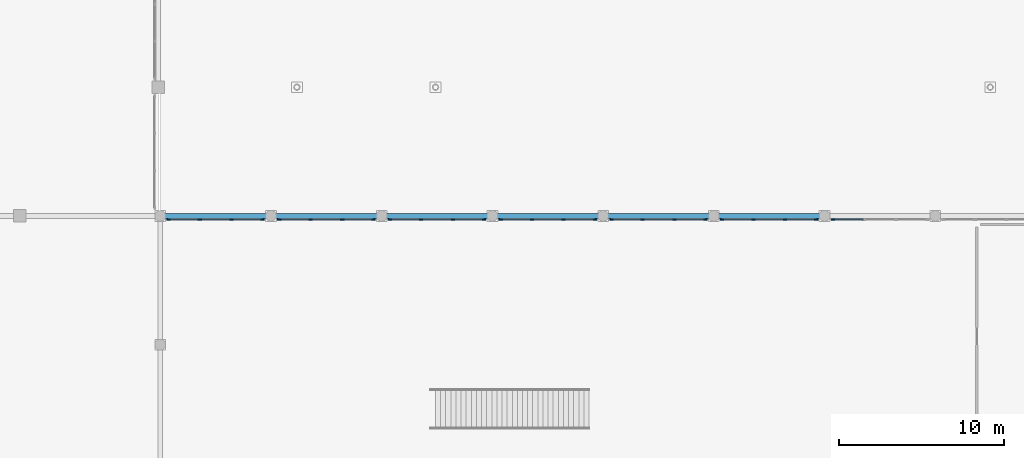
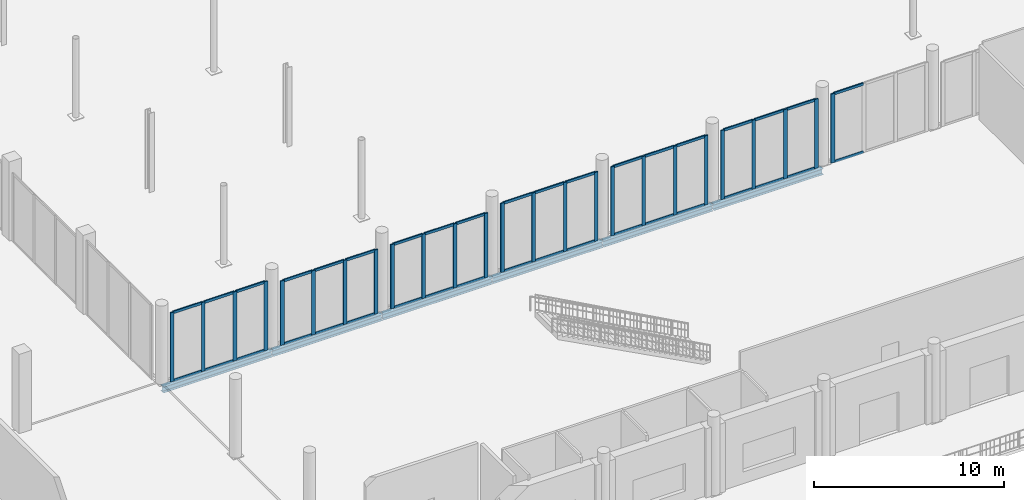
# One storey, part 24 of 80: 63 members, 6 beams, 7 elements without a shape of their own.
"""IFC4 building model written with IfcOpenShell, lengths in metres."""

from ifc_helpers import new_model, si_unit, direction, frame, origin, origin_2d, place, context, subcontext, project, spatial, rectangle, i_section, extrude, material, material_profile, profile_set, type_object, element, aggregate, save


model = new_model("IFC4")

# Units and contexts
model_context = context("Model", 3, precision=1e-05, world=origin(), true_north=direction((0.0, 1.0)))
body_context = subcontext(model_context, "Body", "Model", "MODEL_VIEW")
ifc_project = project(units=[si_unit("LENGTHUNIT", "METRE"), si_unit("AREAUNIT", "SQUARE_METRE"), si_unit("VOLUMEUNIT", "CUBIC_METRE"), si_unit("PLANEANGLEUNIT", "RADIAN"), si_unit("MASSUNIT", "GRAM", prefix="KILO")], contexts=[model_context])

# Site, building, storey
site_placement = place(None, origin())
site = spatial("IfcSite", under=ifc_project, at=site_placement, CompositionType="ELEMENT")
building_placement = place(site_placement, origin())
building = spatial("IfcBuilding", under=site, at=building_placement, Name="Nabrawat Pavilion Hospital", CompositionType="ELEMENT")
storey_placement = place(building_placement, origin())
storey = spatial("IfcBuildingStorey", under=building, at=storey_placement, Name="L00", CompositionType="ELEMENT", Elevation=0.0)

# Curtain wall, members
ifc_material_1 = material(Name="Anodised Aluminium", Category="aluminium")
curtain_wall_type = type_object("IfcCurtainWallType", Name="Main Hall Pavilion Unitised Curtain Wall", PredefinedType="USERDEFINED", material=ifc_material_1)
curtain_wall_1_placement = place(storey_placement, origin())
curtain_wall_1 = element("IfcCurtainWall", 1, at=curtain_wall_1_placement, inside=storey, type_object=curtain_wall_type, Name="L00 Main Hall Pavilion Unitised Curtain Wall 007", ObjectType="CURTAIN WALL", PredefinedType="USERDEFINED")
ifc_material_profile_1 = material_profile(ifc_material_1, rectangle(XDim=0.074951171875, YDim=0.219970703125, at=origin_2d()), Name="CWM 75x220")
ifc_profile_set_1 = profile_set([ifc_material_profile_1], Name="Anodised Aluminium")
member_type_1 = type_object("IfcMemberType", Name="Main Hall Pavilion Unitised Curtain Wall Mullion CWM 75x220", PredefinedType="MULLION", material=ifc_profile_set_1)
member_1_placement = place(storey_placement, frame((59.422607421875, 38.780029296875, 0.0), z_axis=(0.0, 0.0, 1.0), x_axis=(0.0, 1.0, 0.0)))
member_1 = element("IfcMember", 2, at=member_1_placement, type_object=member_type_1, Name="CW-MH-01 mullion 1", PredefinedType="MULLION", context=body_context, shape_type="SweptSolid", body=[
    extrude(rectangle(XDim=0.074951171875, YDim=0.219970703125, at=origin_2d()), origin(), (0.0, 0.0, 1.0), 4.449951171875),
])
member_2_placement = place(storey_placement, frame((61.31103515625, 38.780029296875, 0.0), z_axis=(0.0, 0.0, 1.0), x_axis=(0.0, 1.0, 0.0)))
member_2 = element("IfcMember", 3, at=member_2_placement, type_object=member_type_1, Name="CW-MH-01 mullion 2", PredefinedType="MULLION", context=body_context, shape_type="SweptSolid", body=[
    extrude(rectangle(XDim=0.074951171875, YDim=0.219970703125, at=origin_2d()), origin(), (0.0, 0.0, 1.0), 4.449951171875),
])
member_3_placement = place(storey_placement, frame((63.237060546875, 38.780029296875, 0.0), z_axis=(0.0, 0.0, 1.0), x_axis=(0.0, 1.0, 0.0)))
member_3 = element("IfcMember", 4, at=member_3_placement, type_object=member_type_1, Name="CW-MH-01 mullion 3", PredefinedType="MULLION", context=body_context, shape_type="SweptSolid", body=[
    extrude(rectangle(XDim=0.074951171875, YDim=0.219970703125, at=origin_2d()), origin(), (0.0, 0.0, 1.0), 4.449951171875),
])
member_4_placement = place(storey_placement, frame((65.12548828125, 38.780029296875, 0.0), z_axis=(0.0, 0.0, 1.0), x_axis=(0.0, 1.0, 0.0)))
member_4 = element("IfcMember", 5, at=member_4_placement, type_object=member_type_1, Name="CW-MH-01 mullion 4", PredefinedType="MULLION", context=body_context, shape_type="SweptSolid", body=[
    extrude(rectangle(XDim=0.074951171875, YDim=0.219970703125, at=origin_2d()), origin(), (0.0, 0.0, 1.0), 4.449951171875),
])

curtain_wall_2_placement = place(storey_placement, origin())
curtain_wall_2 = element("IfcCurtainWall", 6, at=curtain_wall_2_placement, inside=storey, type_object=curtain_wall_type, Name="L00 Main Hall Pavilion Unitised Curtain Wall 008", ObjectType="CURTAIN WALL", PredefinedType="USERDEFINED")
member_5_placement = place(storey_placement, frame((66.130615234375, 38.780029296875, 0.0), z_axis=(0.0, 0.0, 1.0), x_axis=(0.0, 1.0, 0.0)))
member_5 = element("IfcMember", 7, at=member_5_placement, type_object=member_type_1, Name="CW-MH-01 mullion 1", PredefinedType="MULLION", context=body_context, shape_type="SweptSolid", body=[
    extrude(rectangle(XDim=0.074951171875, YDim=0.219970703125, at=origin_2d()), origin(), (0.0, 0.0, 1.0), 4.139892578125),
])
member_6_placement = place(storey_placement, frame((68.01904296875, 38.780029296875, 0.0), z_axis=(0.0, 0.0, 1.0), x_axis=(0.0, 1.0, 0.0)))
member_6 = element("IfcMember", 8, at=member_6_placement, type_object=member_type_1, Name="CW-MH-01 mullion 2", PredefinedType="MULLION", context=body_context, shape_type="SweptSolid", body=[
    extrude(rectangle(XDim=0.074951171875, YDim=0.219970703125, at=origin_2d()), origin(), (0.0, 0.0, 1.0), 4.139892578125),
])
member_7_placement = place(storey_placement, frame((69.945068359375, 38.780029296875, 0.0), z_axis=(0.0, 0.0, 1.0), x_axis=(0.0, 1.0, 0.0)))
member_7 = element("IfcMember", 9, at=member_7_placement, type_object=member_type_1, Name="CW-MH-01 mullion 3", PredefinedType="MULLION", context=body_context, shape_type="SweptSolid", body=[
    extrude(rectangle(XDim=0.074951171875, YDim=0.219970703125, at=origin_2d()), origin(), (0.0, 0.0, 1.0), 4.139892578125),
])
member_8_placement = place(storey_placement, frame((71.83349609375, 38.780029296875, 0.0), z_axis=(0.0, 0.0, 1.0), x_axis=(0.0, 1.0, 0.0)))
member_8 = element("IfcMember", 10, at=member_8_placement, type_object=member_type_1, Name="CW-MH-01 mullion 4", PredefinedType="MULLION", context=body_context, shape_type="SweptSolid", body=[
    extrude(rectangle(XDim=0.074951171875, YDim=0.219970703125, at=origin_2d()), origin(), (0.0, 0.0, 1.0), 4.139892578125),
])

curtain_wall_3_placement = place(storey_placement, origin())
curtain_wall_3 = element("IfcCurtainWall", 11, at=curtain_wall_3_placement, inside=storey, type_object=curtain_wall_type, Name="L00 Main Hall Pavilion Unitised Curtain Wall 009", ObjectType="CURTAIN WALL", PredefinedType="USERDEFINED")
member_9_placement = place(storey_placement, frame((72.83837890625, 38.780029296875, 0.0), z_axis=(0.0, 0.0, 1.0), x_axis=(0.0, 1.0, 0.0)))
member_9 = element("IfcMember", 12, at=member_9_placement, type_object=member_type_1, Name="CW-MH-01 mullion 1", PredefinedType="MULLION", context=body_context, shape_type="SweptSolid", body=[
    extrude(rectangle(XDim=0.074951171875, YDim=0.219970703125, at=origin_2d()), origin(), (0.0, 0.0, 1.0), 4.139892578125),
])
member_10_placement = place(storey_placement, frame((74.72705078125, 38.780029296875, 0.0), z_axis=(0.0, 0.0, 1.0), x_axis=(0.0, 1.0, 0.0)))
member_10 = element("IfcMember", 13, at=member_10_placement, type_object=member_type_1, Name="CW-MH-01 mullion 2", PredefinedType="MULLION", context=body_context, shape_type="SweptSolid", body=[
    extrude(rectangle(XDim=0.074951171875, YDim=0.219970703125, at=origin_2d()), origin(), (0.0, 0.0, 1.0), 4.139892578125),
])
member_11_placement = place(storey_placement, frame((76.653076171875, 38.780029296875, 0.0), z_axis=(0.0, 0.0, 1.0), x_axis=(0.0, 1.0, 0.0)))
member_11 = element("IfcMember", 14, at=member_11_placement, type_object=member_type_1, Name="CW-MH-01 mullion 3", PredefinedType="MULLION", context=body_context, shape_type="SweptSolid", body=[
    extrude(rectangle(XDim=0.074951171875, YDim=0.219970703125, at=origin_2d()), origin(), (0.0, 0.0, 1.0), 4.139892578125),
])
member_12_placement = place(storey_placement, frame((78.54150390625, 38.780029296875, 0.0), z_axis=(0.0, 0.0, 1.0), x_axis=(0.0, 1.0, 0.0)))
member_12 = element("IfcMember", 15, at=member_12_placement, type_object=member_type_1, Name="CW-MH-01 mullion 4", PredefinedType="MULLION", context=body_context, shape_type="SweptSolid", body=[
    extrude(rectangle(XDim=0.074951171875, YDim=0.219970703125, at=origin_2d()), origin(), (0.0, 0.0, 1.0), 4.139892578125),
])

curtain_wall_4_placement = place(storey_placement, origin())
curtain_wall_4 = element("IfcCurtainWall", 16, at=curtain_wall_4_placement, inside=storey, type_object=curtain_wall_type, Name="L00 Main Hall Pavilion Unitised Curtain Wall 010", ObjectType="CURTAIN WALL", PredefinedType="USERDEFINED")
member_13_placement = place(storey_placement, frame((79.54638671875, 38.780029296875, 0.0), z_axis=(0.0, 0.0, 1.0), x_axis=(0.0, 1.0, 0.0)))
member_13 = element("IfcMember", 17, at=member_13_placement, type_object=member_type_1, Name="CW-MH-01 mullion 1", PredefinedType="MULLION", context=body_context, shape_type="SweptSolid", body=[
    extrude(rectangle(XDim=0.074951171875, YDim=0.219970703125, at=origin_2d()), origin(), (0.0, 0.0, 1.0), 4.449951171875),
])
member_14_placement = place(storey_placement, frame((81.43505859375, 38.780029296875, 0.0), z_axis=(0.0, 0.0, 1.0), x_axis=(0.0, 1.0, 0.0)))
member_14 = element("IfcMember", 18, at=member_14_placement, type_object=member_type_1, Name="CW-MH-01 mullion 2", PredefinedType="MULLION", context=body_context, shape_type="SweptSolid", body=[
    extrude(rectangle(XDim=0.074951171875, YDim=0.219970703125, at=origin_2d()), origin(), (0.0, 0.0, 1.0), 4.449951171875),
])
member_15_placement = place(storey_placement, frame((83.361083984375, 38.780029296875, 0.0), z_axis=(0.0, 0.0, 1.0), x_axis=(0.0, 1.0, 0.0)))
member_15 = element("IfcMember", 19, at=member_15_placement, type_object=member_type_1, Name="CW-MH-01 mullion 3", PredefinedType="MULLION", context=body_context, shape_type="SweptSolid", body=[
    extrude(rectangle(XDim=0.074951171875, YDim=0.219970703125, at=origin_2d()), origin(), (0.0, 0.0, 1.0), 4.449951171875),
])
member_16_placement = place(storey_placement, frame((85.24951171875, 38.780029296875, 0.0), z_axis=(0.0, 0.0, 1.0), x_axis=(0.0, 1.0, 0.0)))
member_16 = element("IfcMember", 20, at=member_16_placement, type_object=member_type_1, Name="CW-MH-01 mullion 4", PredefinedType="MULLION", context=body_context, shape_type="SweptSolid", body=[
    extrude(rectangle(XDim=0.074951171875, YDim=0.219970703125, at=origin_2d()), origin(), (0.0, 0.0, 1.0), 4.449951171875),
])

curtain_wall_5_placement = place(storey_placement, origin())
curtain_wall_5 = element("IfcCurtainWall", 21, at=curtain_wall_5_placement, inside=storey, type_object=curtain_wall_type, Name="L00 Main Hall Pavilion Unitised Curtain Wall 011", ObjectType="CURTAIN WALL", PredefinedType="USERDEFINED")
member_17_placement = place(storey_placement, frame((86.25439453125, 38.780029296875, 0.0), z_axis=(0.0, 0.0, 1.0), x_axis=(0.0, 1.0, 0.0)))
member_17 = element("IfcMember", 22, at=member_17_placement, type_object=member_type_1, Name="CW-MH-01 mullion 1", PredefinedType="MULLION", context=body_context, shape_type="SweptSolid", body=[
    extrude(rectangle(XDim=0.074951171875, YDim=0.219970703125, at=origin_2d()), origin(), (0.0, 0.0, 1.0), 4.449951171875),
])
member_18_placement = place(storey_placement, frame((88.14306640625, 38.780029296875, 0.0), z_axis=(0.0, 0.0, 1.0), x_axis=(0.0, 1.0, 0.0)))
member_18 = element("IfcMember", 23, at=member_18_placement, type_object=member_type_1, Name="CW-MH-01 mullion 2", PredefinedType="MULLION", context=body_context, shape_type="SweptSolid", body=[
    extrude(rectangle(XDim=0.074951171875, YDim=0.219970703125, at=origin_2d()), origin(), (0.0, 0.0, 1.0), 4.449951171875),
])
member_19_placement = place(storey_placement, frame((90.069091796875, 38.780029296875, 0.0), z_axis=(0.0, 0.0, 1.0), x_axis=(0.0, 1.0, 0.0)))
member_19 = element("IfcMember", 24, at=member_19_placement, type_object=member_type_1, Name="CW-MH-01 mullion 3", PredefinedType="MULLION", context=body_context, shape_type="SweptSolid", body=[
    extrude(rectangle(XDim=0.074951171875, YDim=0.219970703125, at=origin_2d()), origin(), (0.0, 0.0, 1.0), 4.449951171875),
])
member_20_placement = place(storey_placement, frame((91.95751953125, 38.780029296875, 0.0), z_axis=(0.0, 0.0, 1.0), x_axis=(0.0, 1.0, 0.0)))
member_20 = element("IfcMember", 25, at=member_20_placement, type_object=member_type_1, Name="CW-MH-01 mullion 4", PredefinedType="MULLION", context=body_context, shape_type="SweptSolid", body=[
    extrude(rectangle(XDim=0.074951171875, YDim=0.219970703125, at=origin_2d()), origin(), (0.0, 0.0, 1.0), 4.449951171875),
])

curtain_wall_6_placement = place(storey_placement, origin())
curtain_wall_6 = element("IfcCurtainWall", 26, at=curtain_wall_6_placement, inside=storey, type_object=curtain_wall_type, Name="L00 Main Hall Pavilion Unitised Curtain Wall 012", ObjectType="CURTAIN WALL", PredefinedType="USERDEFINED")
member_21_placement = place(storey_placement, frame((92.96240234375, 38.780029296875, 0.0), z_axis=(0.0, 0.0, 1.0), x_axis=(0.0, 1.0, 0.0)))
member_21 = element("IfcMember", 27, at=member_21_placement, type_object=member_type_1, Name="CW-MH-01 mullion 1", PredefinedType="MULLION", context=body_context, shape_type="SweptSolid", body=[
    extrude(rectangle(XDim=0.074951171875, YDim=0.219970703125, at=origin_2d()), origin(), (0.0, 0.0, 1.0), 4.449951171875),
])
member_22_placement = place(storey_placement, frame((94.85107421875, 38.780029296875, 0.0), z_axis=(0.0, 0.0, 1.0), x_axis=(0.0, 1.0, 0.0)))
member_22 = element("IfcMember", 28, at=member_22_placement, type_object=member_type_1, Name="CW-MH-01 mullion 2", PredefinedType="MULLION", context=body_context, shape_type="SweptSolid", body=[
    extrude(rectangle(XDim=0.074951171875, YDim=0.219970703125, at=origin_2d()), origin(), (0.0, 0.0, 1.0), 4.449951171875),
])
member_23_placement = place(storey_placement, frame((96.777099609375, 38.780029296875, 0.0), z_axis=(0.0, 0.0, 1.0), x_axis=(0.0, 1.0, 0.0)))
member_23 = element("IfcMember", 29, at=member_23_placement, type_object=member_type_1, Name="CW-MH-01 mullion 3", PredefinedType="MULLION", context=body_context, shape_type="SweptSolid", body=[
    extrude(rectangle(XDim=0.074951171875, YDim=0.219970703125, at=origin_2d()), origin(), (0.0, 0.0, 1.0), 4.449951171875),
])
member_24_placement = place(storey_placement, frame((98.66552734375, 38.780029296875, 0.0), z_axis=(0.0, 0.0, 1.0), x_axis=(0.0, 1.0, 0.0)))
member_24 = element("IfcMember", 30, at=member_24_placement, type_object=member_type_1, Name="CW-MH-01 mullion 4", PredefinedType="MULLION", context=body_context, shape_type="SweptSolid", body=[
    extrude(rectangle(XDim=0.074951171875, YDim=0.219970703125, at=origin_2d()), origin(), (0.0, 0.0, 1.0), 4.449951171875),
])

# Curtain wall, member
curtain_wall_7_placement = place(storey_placement, origin())
curtain_wall_7 = element("IfcCurtainWall", 31, at=curtain_wall_7_placement, inside=storey, type_object=curtain_wall_type, Name="L00 Main Hall Pavilion Unitised Curtain Wall 013", ObjectType="CURTAIN WALL", PredefinedType="USERDEFINED")
member_25_placement = place(storey_placement, frame((99.67041015625, 38.780029296875, 0.0), z_axis=(0.0, 0.0, 1.0), x_axis=(0.0, 1.0, 0.0)))
member_25 = element("IfcMember", 32, at=member_25_placement, type_object=member_type_1, Name="CW-MH-01 mullion 1", PredefinedType="MULLION", context=body_context, shape_type="SweptSolid", body=[
    extrude(rectangle(XDim=0.074951171875, YDim=0.219970703125, at=origin_2d()), origin(), (0.0, 0.0, 1.0), 4.449951171875),
])

# Member
ifc_material_profile_2 = material_profile(ifc_material_1, rectangle(XDim=0.074951171875, YDim=0.1650390625, at=origin_2d()), Name="CWT 75x165")
ifc_profile_set_2 = profile_set([ifc_material_profile_2], Name="Anodised Aluminium")
member_type_2 = type_object("IfcMemberType", Name="Main Hall Pavilion Unitised Curtain Wall Transom CWT 75x165", PredefinedType="USERDEFINED", material=ifc_profile_set_2)
member_26_placement = place(storey_placement, frame((59.4599609375, 38.780029296875, 0.03759765625), z_axis=(1.0, 0.0, 0.0), x_axis=(0.0, 1.0, 0.0)))
member_26 = element("IfcMember", 33, at=member_26_placement, type_object=member_type_2, Name="CW-MH-01 transom 1.1", ObjectType="TRANSOM", PredefinedType="USERDEFINED", context=body_context, shape_type="SweptSolid", body=[
    extrude(rectangle(XDim=0.074951171875, YDim=0.1650390625, at=origin_2d()), origin(), (0.0, 0.0, 1.0), 1.8134765625),
])

member_27_placement = place(storey_placement, frame((59.4599609375, 38.780029296875, 4.41259765625), z_axis=(1.0, 0.0, 0.0), x_axis=(0.0, 1.0, 0.0)))
member_27 = element("IfcMember", 34, at=member_27_placement, type_object=member_type_2, Name="CW-MH-01 transom 1.2", ObjectType="TRANSOM", PredefinedType="USERDEFINED", context=body_context, shape_type="SweptSolid", body=[
    extrude(rectangle(XDim=0.074951171875, YDim=0.1650390625, at=origin_2d()), origin(), (0.0, 0.0, 1.0), 1.8134765625),
])

member_28_placement = place(storey_placement, frame((61.348388671875, 38.780029296875, 0.03759765625), z_axis=(1.0, 0.0, 0.0), x_axis=(0.0, 1.0, 0.0)))
member_28 = element("IfcMember", 35, at=member_28_placement, type_object=member_type_2, Name="CW-MH-01 transom 2.1", ObjectType="TRANSOM", PredefinedType="USERDEFINED", context=body_context, shape_type="SweptSolid", body=[
    extrude(rectangle(XDim=0.074951171875, YDim=0.1650390625, at=origin_2d()), origin(), (0.0, 0.0, 1.0), 1.85107421875),
])

member_29_placement = place(storey_placement, frame((61.348388671875, 38.780029296875, 4.41259765625), z_axis=(1.0, 0.0, 0.0), x_axis=(0.0, 1.0, 0.0)))
member_29 = element("IfcMember", 36, at=member_29_placement, type_object=member_type_2, Name="CW-MH-01 transom 2.2", ObjectType="TRANSOM", PredefinedType="USERDEFINED", context=body_context, shape_type="SweptSolid", body=[
    extrude(rectangle(XDim=0.074951171875, YDim=0.1650390625, at=origin_2d()), origin(), (0.0, 0.0, 1.0), 1.85107421875),
])

member_30_placement = place(storey_placement, frame((63.2744140625, 38.780029296875, 0.03759765625), z_axis=(1.0, 0.0, 0.0), x_axis=(0.0, 1.0, 0.0)))
member_30 = element("IfcMember", 37, at=member_30_placement, type_object=member_type_2, Name="CW-MH-01 transom 3.1", ObjectType="TRANSOM", PredefinedType="USERDEFINED", context=body_context, shape_type="SweptSolid", body=[
    extrude(rectangle(XDim=0.074951171875, YDim=0.1650390625, at=origin_2d()), origin(), (0.0, 0.0, 1.0), 1.8134765625),
])

member_31_placement = place(storey_placement, frame((63.2744140625, 38.780029296875, 4.41259765625), z_axis=(1.0, 0.0, 0.0), x_axis=(0.0, 1.0, 0.0)))
member_31 = element("IfcMember", 38, at=member_31_placement, type_object=member_type_2, Name="CW-MH-01 transom 3.2", ObjectType="TRANSOM", PredefinedType="USERDEFINED", context=body_context, shape_type="SweptSolid", body=[
    extrude(rectangle(XDim=0.074951171875, YDim=0.1650390625, at=origin_2d()), origin(), (0.0, 0.0, 1.0), 1.8134765625),
])

aggregate(curtain_wall_1, [member_1, member_2, member_3, member_4, member_26, member_27, member_28, member_29, member_30, member_31])

member_32_placement = place(storey_placement, frame((66.16796875, 38.780029296875, 0.03759765625), z_axis=(1.0, 0.0, 0.0), x_axis=(0.0, 1.0, 0.0)))
member_32 = element("IfcMember", 39, at=member_32_placement, type_object=member_type_2, Name="CW-MH-01 transom 1.1", ObjectType="TRANSOM", PredefinedType="USERDEFINED", context=body_context, shape_type="SweptSolid", body=[
    extrude(rectangle(XDim=0.074951171875, YDim=0.1650390625, at=origin_2d()), origin(), (0.0, 0.0, 1.0), 1.8134765625),
])

member_33_placement = place(storey_placement, frame((66.16796875, 38.780029296875, 4.1025390625), z_axis=(1.0, 0.0, 0.0), x_axis=(0.0, 1.0, 0.0)))
member_33 = element("IfcMember", 40, at=member_33_placement, type_object=member_type_2, Name="CW-MH-01 transom 1.2", ObjectType="TRANSOM", PredefinedType="USERDEFINED", context=body_context, shape_type="SweptSolid", body=[
    extrude(rectangle(XDim=0.074951171875, YDim=0.1650390625, at=origin_2d()), origin(), (0.0, 0.0, 1.0), 1.8134765625),
])

member_34_placement = place(storey_placement, frame((68.056396484375, 38.780029296875, 0.03759765625), z_axis=(1.0, 0.0, 0.0), x_axis=(0.0, 1.0, 0.0)))
member_34 = element("IfcMember", 41, at=member_34_placement, type_object=member_type_2, Name="CW-MH-01 transom 2.1", ObjectType="TRANSOM", PredefinedType="USERDEFINED", context=body_context, shape_type="SweptSolid", body=[
    extrude(rectangle(XDim=0.074951171875, YDim=0.1650390625, at=origin_2d()), origin(), (0.0, 0.0, 1.0), 1.85107421875),
])

member_35_placement = place(storey_placement, frame((68.056396484375, 38.780029296875, 4.1025390625), z_axis=(1.0, 0.0, 0.0), x_axis=(0.0, 1.0, 0.0)))
member_35 = element("IfcMember", 42, at=member_35_placement, type_object=member_type_2, Name="CW-MH-01 transom 2.2", ObjectType="TRANSOM", PredefinedType="USERDEFINED", context=body_context, shape_type="SweptSolid", body=[
    extrude(rectangle(XDim=0.074951171875, YDim=0.1650390625, at=origin_2d()), origin(), (0.0, 0.0, 1.0), 1.85107421875),
])

member_36_placement = place(storey_placement, frame((69.982421875, 38.780029296875, 0.03759765625), z_axis=(1.0, 0.0, 0.0), x_axis=(0.0, 1.0, 0.0)))
member_36 = element("IfcMember", 43, at=member_36_placement, type_object=member_type_2, Name="CW-MH-01 transom 3.1", ObjectType="TRANSOM", PredefinedType="USERDEFINED", context=body_context, shape_type="SweptSolid", body=[
    extrude(rectangle(XDim=0.074951171875, YDim=0.1650390625, at=origin_2d()), origin(), (0.0, 0.0, 1.0), 1.8134765625),
])

member_37_placement = place(storey_placement, frame((69.982421875, 38.780029296875, 4.1025390625), z_axis=(1.0, 0.0, 0.0), x_axis=(0.0, 1.0, 0.0)))
member_37 = element("IfcMember", 44, at=member_37_placement, type_object=member_type_2, Name="CW-MH-01 transom 3.2", ObjectType="TRANSOM", PredefinedType="USERDEFINED", context=body_context, shape_type="SweptSolid", body=[
    extrude(rectangle(XDim=0.074951171875, YDim=0.1650390625, at=origin_2d()), origin(), (0.0, 0.0, 1.0), 1.8134765625),
])

aggregate(curtain_wall_2, [member_5, member_6, member_7, member_8, member_32, member_33, member_34, member_35, member_36, member_37])

member_38_placement = place(storey_placement, frame((72.8759765625, 38.780029296875, 0.03759765625), z_axis=(1.0, 0.0, 0.0), x_axis=(0.0, 1.0, 0.0)))
member_38 = element("IfcMember", 45, at=member_38_placement, type_object=member_type_2, Name="CW-MH-01 transom 1.1", ObjectType="TRANSOM", PredefinedType="USERDEFINED", context=body_context, shape_type="SweptSolid", body=[
    extrude(rectangle(XDim=0.074951171875, YDim=0.1650390625, at=origin_2d()), origin(), (0.0, 0.0, 1.0), 1.8134765625),
])

member_39_placement = place(storey_placement, frame((72.8759765625, 38.780029296875, 4.1025390625), z_axis=(1.0, 0.0, 0.0), x_axis=(0.0, 1.0, 0.0)))
member_39 = element("IfcMember", 46, at=member_39_placement, type_object=member_type_2, Name="CW-MH-01 transom 1.2", ObjectType="TRANSOM", PredefinedType="USERDEFINED", context=body_context, shape_type="SweptSolid", body=[
    extrude(rectangle(XDim=0.074951171875, YDim=0.1650390625, at=origin_2d()), origin(), (0.0, 0.0, 1.0), 1.8134765625),
])

member_40_placement = place(storey_placement, frame((74.764404296875, 38.780029296875, 0.03759765625), z_axis=(1.0, 0.0, 0.0), x_axis=(0.0, 1.0, 0.0)))
member_40 = element("IfcMember", 47, at=member_40_placement, type_object=member_type_2, Name="CW-MH-01 transom 2.1", ObjectType="TRANSOM", PredefinedType="USERDEFINED", context=body_context, shape_type="SweptSolid", body=[
    extrude(rectangle(XDim=0.074951171875, YDim=0.1650390625, at=origin_2d()), origin(), (0.0, 0.0, 1.0), 1.85107421875),
])

member_41_placement = place(storey_placement, frame((74.764404296875, 38.780029296875, 4.1025390625), z_axis=(1.0, 0.0, 0.0), x_axis=(0.0, 1.0, 0.0)))
member_41 = element("IfcMember", 48, at=member_41_placement, type_object=member_type_2, Name="CW-MH-01 transom 2.2", ObjectType="TRANSOM", PredefinedType="USERDEFINED", context=body_context, shape_type="SweptSolid", body=[
    extrude(rectangle(XDim=0.074951171875, YDim=0.1650390625, at=origin_2d()), origin(), (0.0, 0.0, 1.0), 1.85107421875),
])

member_42_placement = place(storey_placement, frame((76.6904296875, 38.780029296875, 0.03759765625), z_axis=(1.0, 0.0, 0.0), x_axis=(0.0, 1.0, 0.0)))
member_42 = element("IfcMember", 49, at=member_42_placement, type_object=member_type_2, Name="CW-MH-01 transom 3.1", ObjectType="TRANSOM", PredefinedType="USERDEFINED", context=body_context, shape_type="SweptSolid", body=[
    extrude(rectangle(XDim=0.074951171875, YDim=0.1650390625, at=origin_2d()), origin(), (0.0, 0.0, 1.0), 1.8134765625),
])

member_43_placement = place(storey_placement, frame((76.6904296875, 38.780029296875, 4.1025390625), z_axis=(1.0, 0.0, 0.0), x_axis=(0.0, 1.0, 0.0)))
member_43 = element("IfcMember", 50, at=member_43_placement, type_object=member_type_2, Name="CW-MH-01 transom 3.2", ObjectType="TRANSOM", PredefinedType="USERDEFINED", context=body_context, shape_type="SweptSolid", body=[
    extrude(rectangle(XDim=0.074951171875, YDim=0.1650390625, at=origin_2d()), origin(), (0.0, 0.0, 1.0), 1.8134765625),
])

aggregate(curtain_wall_3, [member_9, member_10, member_11, member_12, member_38, member_39, member_40, member_41, member_42, member_43])

member_44_placement = place(storey_placement, frame((79.583984375, 38.780029296875, 0.03759765625), z_axis=(1.0, 0.0, 0.0), x_axis=(0.0, 1.0, 0.0)))
member_44 = element("IfcMember", 51, at=member_44_placement, type_object=member_type_2, Name="CW-MH-01 transom 1.1", ObjectType="TRANSOM", PredefinedType="USERDEFINED", context=body_context, shape_type="SweptSolid", body=[
    extrude(rectangle(XDim=0.074951171875, YDim=0.1650390625, at=origin_2d()), origin(), (0.0, 0.0, 1.0), 1.8134765625),
])

member_45_placement = place(storey_placement, frame((79.583984375, 38.780029296875, 4.41259765625), z_axis=(1.0, 0.0, 0.0), x_axis=(0.0, 1.0, 0.0)))
member_45 = element("IfcMember", 52, at=member_45_placement, type_object=member_type_2, Name="CW-MH-01 transom 1.2", ObjectType="TRANSOM", PredefinedType="USERDEFINED", context=body_context, shape_type="SweptSolid", body=[
    extrude(rectangle(XDim=0.074951171875, YDim=0.1650390625, at=origin_2d()), origin(), (0.0, 0.0, 1.0), 1.8134765625),
])

member_46_placement = place(storey_placement, frame((81.472412109375, 38.780029296875, 0.03759765625), z_axis=(1.0, 0.0, 0.0), x_axis=(0.0, 1.0, 0.0)))
member_46 = element("IfcMember", 53, at=member_46_placement, type_object=member_type_2, Name="CW-MH-01 transom 2.1", ObjectType="TRANSOM", PredefinedType="USERDEFINED", context=body_context, shape_type="SweptSolid", body=[
    extrude(rectangle(XDim=0.074951171875, YDim=0.1650390625, at=origin_2d()), origin(), (0.0, 0.0, 1.0), 1.85107421875),
])

member_47_placement = place(storey_placement, frame((81.472412109375, 38.780029296875, 4.41259765625), z_axis=(1.0, 0.0, 0.0), x_axis=(0.0, 1.0, 0.0)))
member_47 = element("IfcMember", 54, at=member_47_placement, type_object=member_type_2, Name="CW-MH-01 transom 2.2", ObjectType="TRANSOM", PredefinedType="USERDEFINED", context=body_context, shape_type="SweptSolid", body=[
    extrude(rectangle(XDim=0.074951171875, YDim=0.1650390625, at=origin_2d()), origin(), (0.0, 0.0, 1.0), 1.85107421875),
])

member_48_placement = place(storey_placement, frame((83.3984375, 38.780029296875, 0.03759765625), z_axis=(1.0, 0.0, 0.0), x_axis=(0.0, 1.0, 0.0)))
member_48 = element("IfcMember", 55, at=member_48_placement, type_object=member_type_2, Name="CW-MH-01 transom 3.1", ObjectType="TRANSOM", PredefinedType="USERDEFINED", context=body_context, shape_type="SweptSolid", body=[
    extrude(rectangle(XDim=0.074951171875, YDim=0.1650390625, at=origin_2d()), origin(), (0.0, 0.0, 1.0), 1.8134765625),
])

member_49_placement = place(storey_placement, frame((83.3984375, 38.780029296875, 4.41259765625), z_axis=(1.0, 0.0, 0.0), x_axis=(0.0, 1.0, 0.0)))
member_49 = element("IfcMember", 56, at=member_49_placement, type_object=member_type_2, Name="CW-MH-01 transom 3.2", ObjectType="TRANSOM", PredefinedType="USERDEFINED", context=body_context, shape_type="SweptSolid", body=[
    extrude(rectangle(XDim=0.074951171875, YDim=0.1650390625, at=origin_2d()), origin(), (0.0, 0.0, 1.0), 1.8134765625),
])

aggregate(curtain_wall_4, [member_13, member_14, member_15, member_16, member_44, member_45, member_46, member_47, member_48, member_49])

member_50_placement = place(storey_placement, frame((86.2919921875, 38.780029296875, 0.03759765625), z_axis=(1.0, 0.0, 0.0), x_axis=(0.0, 1.0, 0.0)))
member_50 = element("IfcMember", 57, at=member_50_placement, type_object=member_type_2, Name="CW-MH-01 transom 1.1", ObjectType="TRANSOM", PredefinedType="USERDEFINED", context=body_context, shape_type="SweptSolid", body=[
    extrude(rectangle(XDim=0.074951171875, YDim=0.1650390625, at=origin_2d()), origin(), (0.0, 0.0, 1.0), 1.8134765625),
])

member_51_placement = place(storey_placement, frame((86.2919921875, 38.780029296875, 4.41259765625), z_axis=(1.0, 0.0, 0.0), x_axis=(0.0, 1.0, 0.0)))
member_51 = element("IfcMember", 58, at=member_51_placement, type_object=member_type_2, Name="CW-MH-01 transom 1.2", ObjectType="TRANSOM", PredefinedType="USERDEFINED", context=body_context, shape_type="SweptSolid", body=[
    extrude(rectangle(XDim=0.074951171875, YDim=0.1650390625, at=origin_2d()), origin(), (0.0, 0.0, 1.0), 1.8134765625),
])

member_52_placement = place(storey_placement, frame((88.180419921875, 38.780029296875, 0.03759765625), z_axis=(1.0, 0.0, 0.0), x_axis=(0.0, 1.0, 0.0)))
member_52 = element("IfcMember", 59, at=member_52_placement, type_object=member_type_2, Name="CW-MH-01 transom 2.1", ObjectType="TRANSOM", PredefinedType="USERDEFINED", context=body_context, shape_type="SweptSolid", body=[
    extrude(rectangle(XDim=0.074951171875, YDim=0.1650390625, at=origin_2d()), origin(), (0.0, 0.0, 1.0), 1.85107421875),
])

member_53_placement = place(storey_placement, frame((88.180419921875, 38.780029296875, 4.41259765625), z_axis=(1.0, 0.0, 0.0), x_axis=(0.0, 1.0, 0.0)))
member_53 = element("IfcMember", 60, at=member_53_placement, type_object=member_type_2, Name="CW-MH-01 transom 2.2", ObjectType="TRANSOM", PredefinedType="USERDEFINED", context=body_context, shape_type="SweptSolid", body=[
    extrude(rectangle(XDim=0.074951171875, YDim=0.1650390625, at=origin_2d()), origin(), (0.0, 0.0, 1.0), 1.85107421875),
])

member_54_placement = place(storey_placement, frame((90.1064453125, 38.780029296875, 0.03759765625), z_axis=(1.0, 0.0, 0.0), x_axis=(0.0, 1.0, 0.0)))
member_54 = element("IfcMember", 61, at=member_54_placement, type_object=member_type_2, Name="CW-MH-01 transom 3.1", ObjectType="TRANSOM", PredefinedType="USERDEFINED", context=body_context, shape_type="SweptSolid", body=[
    extrude(rectangle(XDim=0.074951171875, YDim=0.1650390625, at=origin_2d()), origin(), (0.0, 0.0, 1.0), 1.8134765625),
])

member_55_placement = place(storey_placement, frame((90.1064453125, 38.780029296875, 4.41259765625), z_axis=(1.0, 0.0, 0.0), x_axis=(0.0, 1.0, 0.0)))
member_55 = element("IfcMember", 62, at=member_55_placement, type_object=member_type_2, Name="CW-MH-01 transom 3.2", ObjectType="TRANSOM", PredefinedType="USERDEFINED", context=body_context, shape_type="SweptSolid", body=[
    extrude(rectangle(XDim=0.074951171875, YDim=0.1650390625, at=origin_2d()), origin(), (0.0, 0.0, 1.0), 1.8134765625),
])

aggregate(curtain_wall_5, [member_17, member_18, member_19, member_20, member_50, member_51, member_52, member_53, member_54, member_55])

member_56_placement = place(storey_placement, frame((93.0, 38.780029296875, 0.03759765625), z_axis=(1.0, 0.0, 0.0), x_axis=(0.0, 1.0, 0.0)))
member_56 = element("IfcMember", 63, at=member_56_placement, type_object=member_type_2, Name="CW-MH-01 transom 1.1", ObjectType="TRANSOM", PredefinedType="USERDEFINED", context=body_context, shape_type="SweptSolid", body=[
    extrude(rectangle(XDim=0.074951171875, YDim=0.1650390625, at=origin_2d()), origin(), (0.0, 0.0, 1.0), 1.8134765625),
])

member_57_placement = place(storey_placement, frame((93.0, 38.780029296875, 4.41259765625), z_axis=(1.0, 0.0, 0.0), x_axis=(0.0, 1.0, 0.0)))
member_57 = element("IfcMember", 64, at=member_57_placement, type_object=member_type_2, Name="CW-MH-01 transom 1.2", ObjectType="TRANSOM", PredefinedType="USERDEFINED", context=body_context, shape_type="SweptSolid", body=[
    extrude(rectangle(XDim=0.074951171875, YDim=0.1650390625, at=origin_2d()), origin(), (0.0, 0.0, 1.0), 1.8134765625),
])

member_58_placement = place(storey_placement, frame((94.888427734375, 38.780029296875, 0.03759765625), z_axis=(1.0, 0.0, 0.0), x_axis=(0.0, 1.0, 0.0)))
member_58 = element("IfcMember", 65, at=member_58_placement, type_object=member_type_2, Name="CW-MH-01 transom 2.1", ObjectType="TRANSOM", PredefinedType="USERDEFINED", context=body_context, shape_type="SweptSolid", body=[
    extrude(rectangle(XDim=0.074951171875, YDim=0.1650390625, at=origin_2d()), origin(), (0.0, 0.0, 1.0), 1.85107421875),
])

member_59_placement = place(storey_placement, frame((94.888427734375, 38.780029296875, 4.41259765625), z_axis=(1.0, 0.0, 0.0), x_axis=(0.0, 1.0, 0.0)))
member_59 = element("IfcMember", 66, at=member_59_placement, type_object=member_type_2, Name="CW-MH-01 transom 2.2", ObjectType="TRANSOM", PredefinedType="USERDEFINED", context=body_context, shape_type="SweptSolid", body=[
    extrude(rectangle(XDim=0.074951171875, YDim=0.1650390625, at=origin_2d()), origin(), (0.0, 0.0, 1.0), 1.85107421875),
])

member_60_placement = place(storey_placement, frame((96.814453125, 38.780029296875, 0.03759765625), z_axis=(1.0, 0.0, 0.0), x_axis=(0.0, 1.0, 0.0)))
member_60 = element("IfcMember", 67, at=member_60_placement, type_object=member_type_2, Name="CW-MH-01 transom 3.1", ObjectType="TRANSOM", PredefinedType="USERDEFINED", context=body_context, shape_type="SweptSolid", body=[
    extrude(rectangle(XDim=0.074951171875, YDim=0.1650390625, at=origin_2d()), origin(), (0.0, 0.0, 1.0), 1.8134765625),
])

member_61_placement = place(storey_placement, frame((96.814453125, 38.780029296875, 4.41259765625), z_axis=(1.0, 0.0, 0.0), x_axis=(0.0, 1.0, 0.0)))
member_61 = element("IfcMember", 68, at=member_61_placement, type_object=member_type_2, Name="CW-MH-01 transom 3.2", ObjectType="TRANSOM", PredefinedType="USERDEFINED", context=body_context, shape_type="SweptSolid", body=[
    extrude(rectangle(XDim=0.074951171875, YDim=0.1650390625, at=origin_2d()), origin(), (0.0, 0.0, 1.0), 1.8134765625),
])

aggregate(curtain_wall_6, [member_21, member_22, member_23, member_24, member_56, member_57, member_58, member_59, member_60, member_61])

member_62_placement = place(storey_placement, frame((99.7080078125, 38.780029296875, 0.03759765625), z_axis=(1.0, 0.0, 0.0), x_axis=(0.0, 1.0, 0.0)))
member_62 = element("IfcMember", 69, at=member_62_placement, type_object=member_type_2, Name="CW-MH-01 transom 1.1", ObjectType="TRANSOM", PredefinedType="USERDEFINED", context=body_context, shape_type="SweptSolid", body=[
    extrude(rectangle(XDim=0.074951171875, YDim=0.1650390625, at=origin_2d()), origin(), (0.0, 0.0, 1.0), 1.8134765625),
])

member_63_placement = place(storey_placement, frame((99.7080078125, 38.780029296875, 4.41259765625), z_axis=(1.0, 0.0, 0.0), x_axis=(0.0, 1.0, 0.0)))
member_63 = element("IfcMember", 70, at=member_63_placement, type_object=member_type_2, Name="CW-MH-01 transom 1.2", ObjectType="TRANSOM", PredefinedType="USERDEFINED", context=body_context, shape_type="SweptSolid", body=[
    extrude(rectangle(XDim=0.074951171875, YDim=0.1650390625, at=origin_2d()), origin(), (0.0, 0.0, 1.0), 1.8134765625),
])

aggregate(curtain_wall_7, [member_25, member_62, member_63])

# Beams
ifc_material_2 = material(Name="Steel S355", Category="steel")
ifc_material_profile_3 = material_profile(ifc_material_2, i_section(OverallWidth=0.300048828125, OverallDepth=0.389892578125, WebThickness=0.010986328125, FlangeThickness=0.01904296875, FilletRadius=0.027099609375, at=origin_2d()), Name="HEA 400")
ifc_profile_set_3 = profile_set([ifc_material_profile_3], Name="Steel S355")
beam_type = type_object("IfcBeamType", Name="Perimeter Moment Spandrel Beam HEA 400", PredefinedType="SPANDREL", material=ifc_profile_set_3)
for number, where, z_axis, x_axis, name in (
    (71, (58.93994140625, 39.0, -0.455078125), (1.0, 0.0, 0.0), (0.0, 1.0, 0.0), "L00 Primary X Girder 70"),
    (72, (65.64794921875, 39.0, -0.455078125), (1.0, 0.0, 0.0), (0.0, 1.0, 0.0), "L00 Primary X Girder 71"),
    (73, (72.35595703125, 39.0, -0.455078125), (1.0, 0.0, 0.0), (0.0, 1.0, 0.0), "L00 Primary X Girder 72"),
    (74, (79.06396484375, 39.0, -0.455078125), (1.0, 0.0, 0.0), (0.0, 1.0, 0.0), "L00 Primary X Girder 73"),
    (75, (85.77197265625, 39.0, -0.455078125), (1.0, 0.0, 0.0), (0.0, 1.0, 0.0), "L00 Primary X Girder 74"),
    (76, (92.47998046875, 39.0, -0.455078125), (1.0, 0.0, 0.0), (0.0, 1.0, 0.0), "L00 Primary X Girder 75"),
):
    element("IfcBeam", number, at=place(storey_placement, frame(where, z_axis=z_axis, x_axis=x_axis)), inside=storey, type_object=beam_type, Name=name, PredefinedType="SPANDREL", context=body_context, shape_type="SweptSolid", body=[
        extrude(i_section(OverallWidth=0.300048828125, OverallDepth=0.389892578125, WebThickness=0.010986328125, FlangeThickness=0.01904296875, FilletRadius=0.027099609375, at=origin_2d()), origin(), (0.0, 0.0, 1.0), 6.66796875),
    ])

save(model, "model.ifc")
